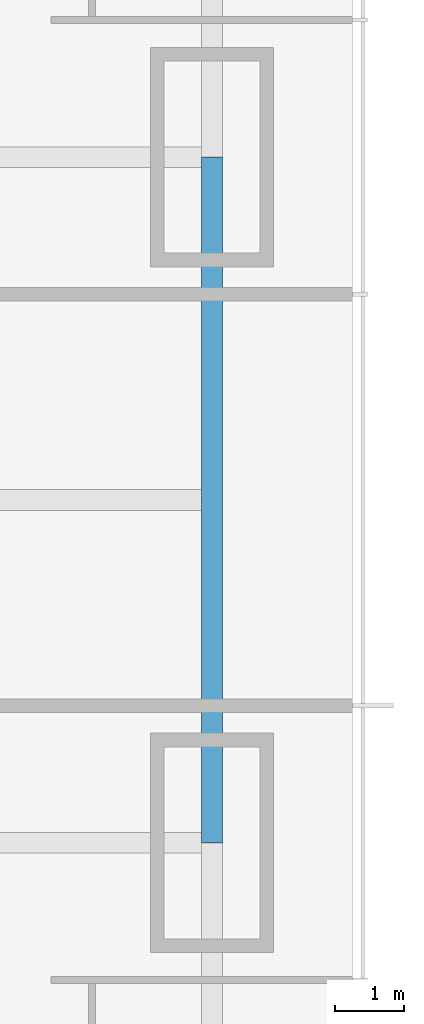
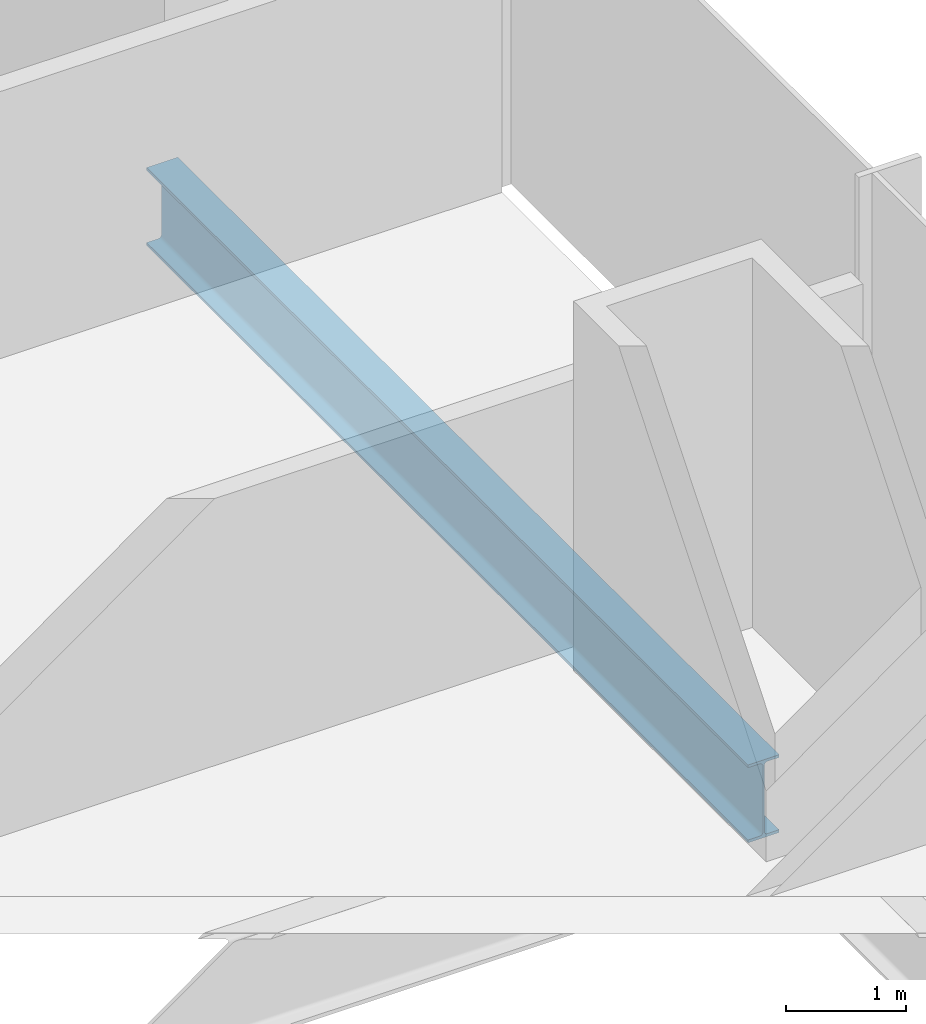
# One storey, part 5 of 20: 1 beam.
"""IFC4 building model written with IfcOpenShell, lengths in metres."""

import ifcopenshell
import ifcopenshell.guid

model = None  # the IFC model being written
_history = None  # IfcOwnerHistory: only IFC2X3 demands one
_inside = {}  # id of a spatial element -> (the spatial element, [elements in it])
_under = {}  # id of a project, library or spatial element -> (it, [spatial elements below it])
_declared = {}  # id of a project -> (the project, [libraries it declares])
_typed = {}  # id of a type object -> (the type object, [elements of that type])
_made_of = {}  # id of a material, layer set ... -> (it, [elements and type objects made of it])


def new_model(schema):
    """Start an empty IFC model of exactly this schema.

    Asked for "IFC4X3", IfcOpenShell would pick the latest addendum, in which some entities
    have other attributes; the version numbers below select the first issue.
    IFC2X3 requires an IfcOwnerHistory on every rooted entity: one is made here for all.
    """
    global model, _history
    if schema == "IFC4X3":
        model = ifcopenshell.file(schema_version=(4, 3, 0, 0))
    else:
        model = ifcopenshell.file(schema=schema)
    _inside.clear()
    _under.clear()
    _declared.clear()
    _typed.clear()
    _made_of.clear()
    _history = None
    if model.schema == "IFC2X3":
        org = make("IfcOrganization", Name="unknown")
        user = make(
            "IfcPersonAndOrganization",
            ThePerson=make("IfcPerson", FamilyName="unknown"),
            TheOrganization=org,
        )
        app = make(
            "IfcApplication",
            ApplicationDeveloper=org,
            Version="unknown",
            ApplicationFullName="unknown",
            ApplicationIdentifier="unknown",
        )
        _history = make(
            "IfcOwnerHistory",
            OwningUser=user,
            OwningApplication=app,
            ChangeAction="ADDED",
            CreationDate=0,
        )
    return model


def make(cls, **values):
    """One entity of the class cls with the attributes given. An attribute that is None is left unset."""
    return model.create_entity(
        cls, **{name: value for name, value in values.items() if value is not None}
    )


def rooted(cls, **values):
    """An entity with a GlobalId (a new one), such as an element, a storey or a relation."""
    return make(cls, GlobalId=ifcopenshell.guid.new(), OwnerHistory=_history, **values)


def si_unit(unit_type, name, prefix=None):
    """IfcSIUnit, for example si_unit("LENGTHUNIT", "METRE", prefix="MILLI")."""
    return make("IfcSIUnit", UnitType=unit_type, Prefix=prefix, Name=name)


def assignment(units):
    """IfcUnitAssignment: the units of a project."""
    return None if units is None else make("IfcUnitAssignment", Units=units)


def point(xyz):
    """IfcCartesianPoint."""
    return None if xyz is None else make("IfcCartesianPoint", Coordinates=xyz)


def direction(xyz):
    """IfcDirection."""
    return None if xyz is None else make("IfcDirection", DirectionRatios=xyz)


def frame(location, z_axis=None, x_axis=None):
    """IfcAxis2Placement3D, a coordinate frame: its origin and axes. An axis left out is left unset."""
    return make(
        "IfcAxis2Placement3D",
        Location=point(location),
        Axis=direction(z_axis),
        RefDirection=direction(x_axis),
    )


def frame_2d(location, x_axis=None):
    """IfcAxis2Placement2D, a coordinate frame in the plane: its origin and x axis."""
    return make(
        "IfcAxis2Placement2D", Location=point(location), RefDirection=direction(x_axis)
    )


def origin():
    """The frame at (0, 0, 0) with its axes left unset."""
    return frame((0.0, 0.0, 0.0))


def origin_2d():
    """The frame at (0, 0) in the plane with its x axis left unset."""
    return frame_2d((0.0, 0.0))


def place(relative_to, where):
    """IfcLocalPlacement: puts the frame where relative to a parent placement (None: the world)."""
    return make(
        "IfcLocalPlacement", PlacementRelTo=relative_to, RelativePlacement=where
    )


def context(
    kind, dimensions, precision=None, world=None, true_north=None, identifier=None
):
    """IfcGeometricRepresentationContext, for example the 3D "Model" context."""
    return make(
        "IfcGeometricRepresentationContext",
        ContextIdentifier=identifier,
        ContextType=kind,
        CoordinateSpaceDimension=dimensions,
        Precision=precision,
        WorldCoordinateSystem=world,
        TrueNorth=true_north,
    )


def subcontext(parent, identifier, kind, view, scale=None):
    """IfcGeometricRepresentationSubContext, for example "Body" below "Model"."""
    return make(
        "IfcGeometricRepresentationSubContext",
        ContextIdentifier=identifier,
        ContextType=kind,
        ParentContext=parent,
        TargetScale=scale,
        TargetView=view,
    )


def project(units=None, contexts=None):
    """IfcProject with its units and contexts."""
    return rooted(
        "IfcProject",
        Name="project",
        RepresentationContexts=contexts,
        UnitsInContext=assignment(units),
    )


def spatial(cls, under=None, at=None, **own):
    """A site, building, storey or space (cls), placed at a placement, below another one or the project."""
    s = rooted(cls, ObjectPlacement=at, **own)
    if under is not None:
        _under.setdefault(under.id(), (under, []))[1].append(s)
    return s


def profile(cls, at=None, kind="AREA", **sizes):
    """A parametric profile (cls). Its sizes go by their IFC names, for example OverallWidth=200.0."""
    return make(cls, ProfileType=kind, Position=at, **sizes)


def i_section(**sizes):
    """IfcIShapeProfileDef."""
    return profile("IfcIShapeProfileDef", **sizes)


def extrude(swept, where, along, depth):
    """IfcExtrudedAreaSolid: the profile swept, set in the frame where, extruded along a direction by depth."""
    return make(
        "IfcExtrudedAreaSolid",
        SweptArea=swept,
        Position=where,
        ExtrudedDirection=direction(along),
        Depth=depth,
    )


def shape(context_of_items, identifier, shape_type, items):
    """IfcShapeRepresentation: the items that make up one representation, for example the "Body"."""
    return make(
        "IfcShapeRepresentation",
        ContextOfItems=context_of_items,
        RepresentationIdentifier=identifier,
        RepresentationType=shape_type,
        Items=items,
    )


def material(Name=None, Category=None):
    """IfcMaterial."""
    return make("IfcMaterial", Name=Name, Category=Category)


def material_profile(
    of_material, cross_section, Name=None, Category=None, Priority=None
):
    """IfcMaterialProfile: a cross section and its material."""
    return make(
        "IfcMaterialProfile",
        Name=Name,
        Material=of_material,
        Profile=cross_section,
        Priority=Priority,
        Category=Category,
    )


def profile_set(profiles, Name=None, composite=None):
    """IfcMaterialProfileSet."""
    return make(
        "IfcMaterialProfileSet",
        Name=Name,
        MaterialProfiles=profiles,
        CompositeProfile=composite,
    )


def made_of(thing, what):
    """Note that an element or type object is made of a material, layer set ...; save() writes the relation."""
    if what is not None:
        _made_of.setdefault(what.id(), (what, []))[1].append(thing)
    return thing


def type_object(cls, material=None, **own):
    """A type object (cls), such as IfcWallType, which elements share."""
    return made_of(rooted(cls, **own), material)


def element(
    cls,
    number,
    at=None,
    inside=None,
    cuts=None,
    type_object=None,
    material=None,
    context=None,
    identifier="Body",
    shape_type=None,
    held_by="IfcProductDefinitionShape",
    body=None,
    shapes=None,
    **own,
):
    """One element of the class cls, such as IfcWall. Its Tag is "e" and its number.

    at: its placement. inside: the storey or other place that contains it. cuts: it is an
    opening in that element (IfcRelVoidsElement). A single representation is given by context,
    identifier, shape_type and body (its items); several are given by shapes. held_by: the class
    of the entity that holds the representations. save() writes the other relations.
    """
    e = rooted(cls, Tag="e%d" % number, ObjectPlacement=at, **own)
    if body is not None:
        shapes = [shape(context, identifier, shape_type, body)]
    if shapes is not None:
        e.Representation = make(held_by, Representations=shapes)
    if inside is not None:
        _inside.setdefault(inside.id(), (inside, []))[1].append(e)
    if cuts is not None:
        rooted(
            "IfcRelVoidsElement", RelatingBuildingElement=cuts, RelatedOpeningElement=e
        )
    if type_object is not None:
        _typed.setdefault(type_object.id(), (type_object, []))[1].append(e)
    return made_of(e, material)


def aggregate(whole, parts):
    """IfcRelAggregates: a whole, such as a stair, and the parts it consists of."""
    return rooted("IfcRelAggregates", RelatingObject=whole, RelatedObjects=parts)


def save(model, path):
    """Write the relations noted so far, then the file.

    IfcRelAggregates (storeys below a building ...), IfcRelContainedInSpatialStructure (elements
    in a storey), IfcRelDefinesByType, IfcRelAssociatesMaterial and IfcRelDeclares: one each for
    every whole, place, type object, material and project.
    """
    for whole, parts in _under.values():
        aggregate(whole, parts)
    for where, things in _inside.values():
        rooted(
            "IfcRelContainedInSpatialStructure",
            RelatedElements=things,
            RelatingStructure=where,
        )
    for kind, things in _typed.values():
        rooted("IfcRelDefinesByType", RelatedObjects=things, RelatingType=kind)
    for what, things in _made_of.values():
        rooted("IfcRelAssociatesMaterial", RelatedObjects=things, RelatingMaterial=what)
    for by, libraries in _declared.values():
        rooted("IfcRelDeclares", RelatingContext=by, RelatedDefinitions=libraries)
    model.write(path)


model = new_model("IFC4")

# Units and contexts
model_context = context("Model", 3, precision=1e-05, world=origin(), true_north=direction((0.0, 1.0)))
body_context = subcontext(model_context, "Body", "Model", "MODEL_VIEW")
ifc_project = project(units=[si_unit("LENGTHUNIT", "METRE"), si_unit("AREAUNIT", "SQUARE_METRE"), si_unit("VOLUMEUNIT", "CUBIC_METRE"), si_unit("PLANEANGLEUNIT", "RADIAN"), si_unit("MASSUNIT", "GRAM", prefix="KILO")], contexts=[model_context])

# Site, building, storey
site_placement = place(None, origin())
site = spatial("IfcSite", under=ifc_project, at=site_placement, CompositionType="ELEMENT")
building_placement = place(site_placement, origin())
building = spatial("IfcBuilding", under=site, at=building_placement, Name="Khuree Lantern Residences", CompositionType="ELEMENT")
storey_placement = place(building_placement, frame((0.0, 0.0, 24.75)))
storey = spatial("IfcBuildingStorey", under=building, at=storey_placement, Name="L05", CompositionType="ELEMENT", Elevation=24.75)

# Beam
ifc_material = material(Name="Steel S355", Category="steel")
ifc_material_profile = material_profile(ifc_material, i_section(OverallWidth=0.300048828125, OverallDepth=0.7900390625, WebThickness=0.014892578125, FlangeThickness=0.028076171875, FilletRadius=0.030029296875, at=origin_2d()), Name="HE 800 A")
ifc_profile_set = profile_set([ifc_material_profile], Name="Steel S355")
beam_type = type_object("IfcBeamType", Name="E-11 SPANDREL BEAM HE 800 A", PredefinedType="SPANDREL", material=ifc_profile_set)
beam_placement = place(storey_placement, frame((29.800048828125, 0.0, -0.64501953125), z_axis=(0.0, -1.0, 0.0), x_axis=(1.0, 0.0, 0.0)))
element("IfcBeam", 1, at=beam_placement, inside=storey, type_object=beam_type, Name="Spandrel beam E4", PredefinedType="SPANDREL", context=body_context, shape_type="SweptSolid", body=[
    extrude(i_section(OverallWidth=0.300048828125, OverallDepth=0.7900390625, WebThickness=0.014892578125, FlangeThickness=0.028076171875, FilletRadius=0.030029296875, at=origin_2d()), origin(), (0.0, 0.0, 1.0), 10.0),
])

save(model, "model.ifc")
